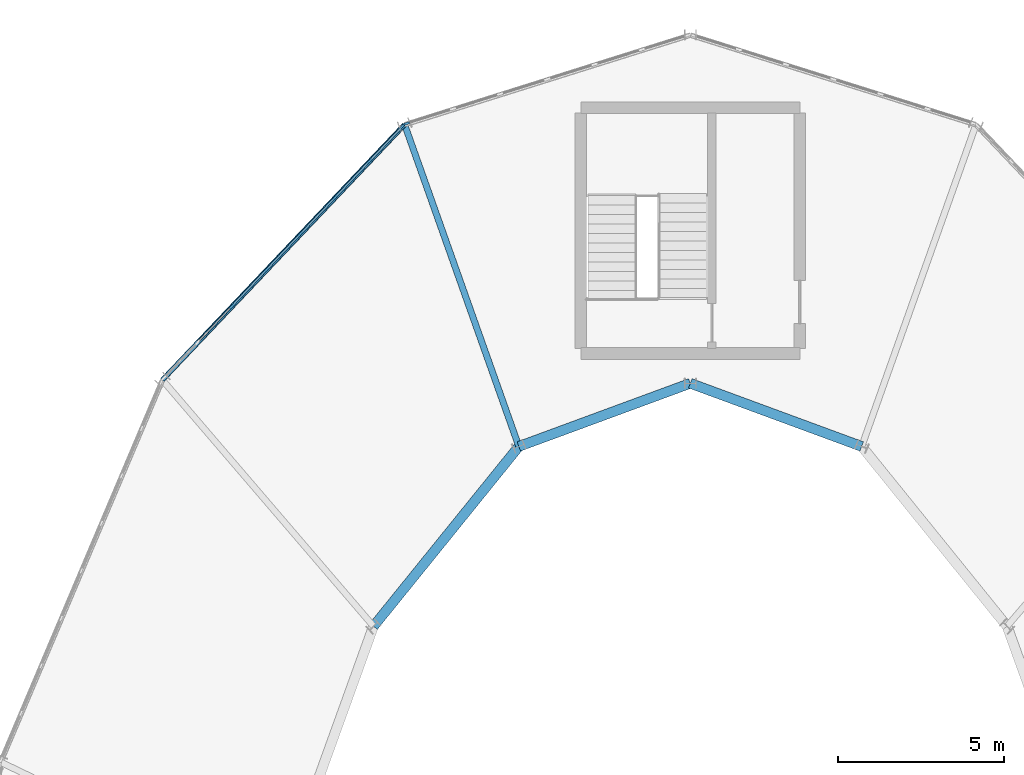
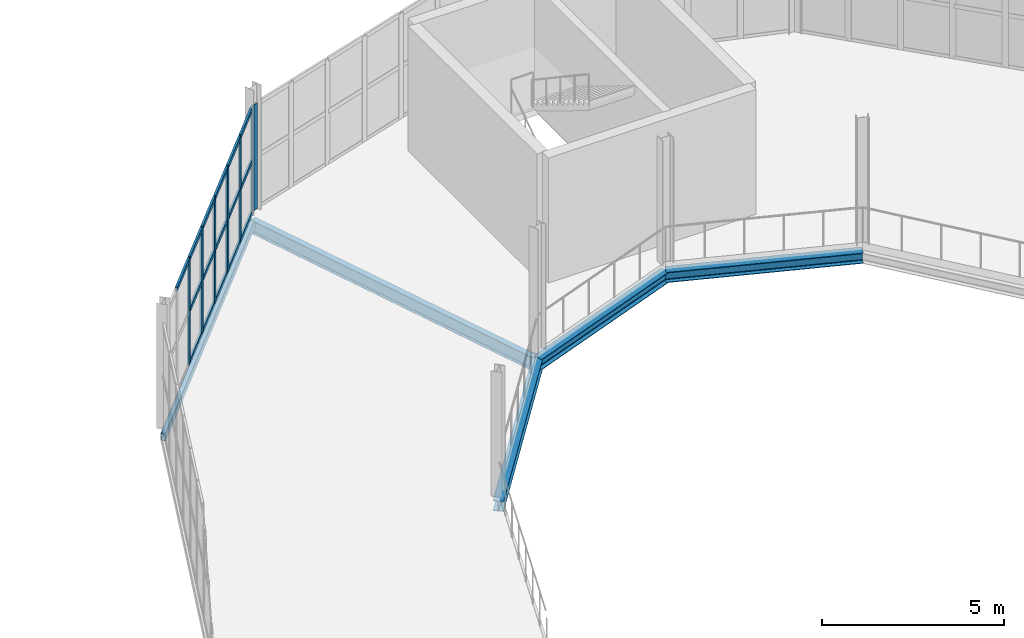
# One storey, part 89 of 161: 23 members, 5 beams, 2 elements without a shape of their own.
"""IFC4 building model written with IfcOpenShell, lengths in metres."""

import ifcopenshell
import ifcopenshell.guid

model = None  # the IFC model being written
_history = None  # IfcOwnerHistory: only IFC2X3 demands one
_inside = {}  # id of a spatial element -> (the spatial element, [elements in it])
_under = {}  # id of a project, library or spatial element -> (it, [spatial elements below it])
_declared = {}  # id of a project -> (the project, [libraries it declares])
_typed = {}  # id of a type object -> (the type object, [elements of that type])
_made_of = {}  # id of a material, layer set ... -> (it, [elements and type objects made of it])


def new_model(schema):
    """Start an empty IFC model of exactly this schema.

    Asked for "IFC4X3", IfcOpenShell would pick the latest addendum, in which some entities
    have other attributes; the version numbers below select the first issue.
    IFC2X3 requires an IfcOwnerHistory on every rooted entity: one is made here for all.
    """
    global model, _history
    if schema == "IFC4X3":
        model = ifcopenshell.file(schema_version=(4, 3, 0, 0))
    else:
        model = ifcopenshell.file(schema=schema)
    _inside.clear()
    _under.clear()
    _declared.clear()
    _typed.clear()
    _made_of.clear()
    _history = None
    if model.schema == "IFC2X3":
        org = make("IfcOrganization", Name="unknown")
        user = make(
            "IfcPersonAndOrganization",
            ThePerson=make("IfcPerson", FamilyName="unknown"),
            TheOrganization=org,
        )
        app = make(
            "IfcApplication",
            ApplicationDeveloper=org,
            Version="unknown",
            ApplicationFullName="unknown",
            ApplicationIdentifier="unknown",
        )
        _history = make(
            "IfcOwnerHistory",
            OwningUser=user,
            OwningApplication=app,
            ChangeAction="ADDED",
            CreationDate=0,
        )
    return model


def make(cls, **values):
    """One entity of the class cls with the attributes given. An attribute that is None is left unset."""
    return model.create_entity(
        cls, **{name: value for name, value in values.items() if value is not None}
    )


def rooted(cls, **values):
    """An entity with a GlobalId (a new one), such as an element, a storey or a relation."""
    return make(cls, GlobalId=ifcopenshell.guid.new(), OwnerHistory=_history, **values)


def si_unit(unit_type, name, prefix=None):
    """IfcSIUnit, for example si_unit("LENGTHUNIT", "METRE", prefix="MILLI")."""
    return make("IfcSIUnit", UnitType=unit_type, Prefix=prefix, Name=name)


def assignment(units):
    """IfcUnitAssignment: the units of a project."""
    return None if units is None else make("IfcUnitAssignment", Units=units)


def point(xyz):
    """IfcCartesianPoint."""
    return None if xyz is None else make("IfcCartesianPoint", Coordinates=xyz)


def direction(xyz):
    """IfcDirection."""
    return None if xyz is None else make("IfcDirection", DirectionRatios=xyz)


def frame(location, z_axis=None, x_axis=None):
    """IfcAxis2Placement3D, a coordinate frame: its origin and axes. An axis left out is left unset."""
    return make(
        "IfcAxis2Placement3D",
        Location=point(location),
        Axis=direction(z_axis),
        RefDirection=direction(x_axis),
    )


def frame_2d(location, x_axis=None):
    """IfcAxis2Placement2D, a coordinate frame in the plane: its origin and x axis."""
    return make(
        "IfcAxis2Placement2D", Location=point(location), RefDirection=direction(x_axis)
    )


def origin():
    """The frame at (0, 0, 0) with its axes left unset."""
    return frame((0.0, 0.0, 0.0))


def origin_2d():
    """The frame at (0, 0) in the plane with its x axis left unset."""
    return frame_2d((0.0, 0.0))


def place(relative_to, where):
    """IfcLocalPlacement: puts the frame where relative to a parent placement (None: the world)."""
    return make(
        "IfcLocalPlacement", PlacementRelTo=relative_to, RelativePlacement=where
    )


def context(
    kind, dimensions, precision=None, world=None, true_north=None, identifier=None
):
    """IfcGeometricRepresentationContext, for example the 3D "Model" context."""
    return make(
        "IfcGeometricRepresentationContext",
        ContextIdentifier=identifier,
        ContextType=kind,
        CoordinateSpaceDimension=dimensions,
        Precision=precision,
        WorldCoordinateSystem=world,
        TrueNorth=true_north,
    )


def subcontext(parent, identifier, kind, view, scale=None):
    """IfcGeometricRepresentationSubContext, for example "Body" below "Model"."""
    return make(
        "IfcGeometricRepresentationSubContext",
        ContextIdentifier=identifier,
        ContextType=kind,
        ParentContext=parent,
        TargetScale=scale,
        TargetView=view,
    )


def project(units=None, contexts=None):
    """IfcProject with its units and contexts."""
    return rooted(
        "IfcProject",
        Name="project",
        RepresentationContexts=contexts,
        UnitsInContext=assignment(units),
    )


def spatial(cls, under=None, at=None, **own):
    """A site, building, storey or space (cls), placed at a placement, below another one or the project."""
    s = rooted(cls, ObjectPlacement=at, **own)
    if under is not None:
        _under.setdefault(under.id(), (under, []))[1].append(s)
    return s


def profile(cls, at=None, kind="AREA", **sizes):
    """A parametric profile (cls). Its sizes go by their IFC names, for example OverallWidth=200.0."""
    return make(cls, ProfileType=kind, Position=at, **sizes)


def rectangle(**sizes):
    """IfcRectangleProfileDef."""
    return profile("IfcRectangleProfileDef", **sizes)


def hollow_rectangle(**sizes):
    """IfcRectangleHollowProfileDef."""
    return profile("IfcRectangleHollowProfileDef", **sizes)


def i_section(**sizes):
    """IfcIShapeProfileDef."""
    return profile("IfcIShapeProfileDef", **sizes)


def extrude(swept, where, along, depth):
    """IfcExtrudedAreaSolid: the profile swept, set in the frame where, extruded along a direction by depth."""
    return make(
        "IfcExtrudedAreaSolid",
        SweptArea=swept,
        Position=where,
        ExtrudedDirection=direction(along),
        Depth=depth,
    )


def shape(context_of_items, identifier, shape_type, items):
    """IfcShapeRepresentation: the items that make up one representation, for example the "Body"."""
    return make(
        "IfcShapeRepresentation",
        ContextOfItems=context_of_items,
        RepresentationIdentifier=identifier,
        RepresentationType=shape_type,
        Items=items,
    )


def material(Name=None, Category=None):
    """IfcMaterial."""
    return make("IfcMaterial", Name=Name, Category=Category)


def material_profile(
    of_material, cross_section, Name=None, Category=None, Priority=None
):
    """IfcMaterialProfile: a cross section and its material."""
    return make(
        "IfcMaterialProfile",
        Name=Name,
        Material=of_material,
        Profile=cross_section,
        Priority=Priority,
        Category=Category,
    )


def profile_set(profiles, Name=None, composite=None):
    """IfcMaterialProfileSet."""
    return make(
        "IfcMaterialProfileSet",
        Name=Name,
        MaterialProfiles=profiles,
        CompositeProfile=composite,
    )


def made_of(thing, what):
    """Note that an element or type object is made of a material, layer set ...; save() writes the relation."""
    if what is not None:
        _made_of.setdefault(what.id(), (what, []))[1].append(thing)
    return thing


def type_object(cls, material=None, **own):
    """A type object (cls), such as IfcWallType, which elements share."""
    return made_of(rooted(cls, **own), material)


def element(
    cls,
    number,
    at=None,
    inside=None,
    cuts=None,
    type_object=None,
    material=None,
    context=None,
    identifier="Body",
    shape_type=None,
    held_by="IfcProductDefinitionShape",
    body=None,
    shapes=None,
    **own,
):
    """One element of the class cls, such as IfcWall. Its Tag is "e" and its number.

    at: its placement. inside: the storey or other place that contains it. cuts: it is an
    opening in that element (IfcRelVoidsElement). A single representation is given by context,
    identifier, shape_type and body (its items); several are given by shapes. held_by: the class
    of the entity that holds the representations. save() writes the other relations.
    """
    e = rooted(cls, Tag="e%d" % number, ObjectPlacement=at, **own)
    if body is not None:
        shapes = [shape(context, identifier, shape_type, body)]
    if shapes is not None:
        e.Representation = make(held_by, Representations=shapes)
    if inside is not None:
        _inside.setdefault(inside.id(), (inside, []))[1].append(e)
    if cuts is not None:
        rooted(
            "IfcRelVoidsElement", RelatingBuildingElement=cuts, RelatedOpeningElement=e
        )
    if type_object is not None:
        _typed.setdefault(type_object.id(), (type_object, []))[1].append(e)
    return made_of(e, material)


def aggregate(whole, parts):
    """IfcRelAggregates: a whole, such as a stair, and the parts it consists of."""
    return rooted("IfcRelAggregates", RelatingObject=whole, RelatedObjects=parts)


def save(model, path):
    """Write the relations noted so far, then the file.

    IfcRelAggregates (storeys below a building ...), IfcRelContainedInSpatialStructure (elements
    in a storey), IfcRelDefinesByType, IfcRelAssociatesMaterial and IfcRelDeclares: one each for
    every whole, place, type object, material and project.
    """
    for whole, parts in _under.values():
        aggregate(whole, parts)
    for where, things in _inside.values():
        rooted(
            "IfcRelContainedInSpatialStructure",
            RelatedElements=things,
            RelatingStructure=where,
        )
    for kind, things in _typed.values():
        rooted("IfcRelDefinesByType", RelatedObjects=things, RelatingType=kind)
    for what, things in _made_of.values():
        rooted("IfcRelAssociatesMaterial", RelatedObjects=things, RelatingMaterial=what)
    for by, libraries in _declared.values():
        rooted("IfcRelDeclares", RelatingContext=by, RelatedDefinitions=libraries)
    model.write(path)


model = new_model("IFC4")

# Units and contexts
model_context = context("Model", 3, precision=1e-05, world=origin(), true_north=direction((0.0, 1.0)))
body_context = subcontext(model_context, "Body", "Model", "MODEL_VIEW")
ifc_project = project(units=[si_unit("LENGTHUNIT", "METRE"), si_unit("AREAUNIT", "SQUARE_METRE"), si_unit("VOLUMEUNIT", "CUBIC_METRE"), si_unit("PLANEANGLEUNIT", "RADIAN"), si_unit("MASSUNIT", "GRAM", prefix="KILO")], contexts=[model_context])

# Site, building, storey
site_placement = place(None, origin())
site = spatial("IfcSite", under=ifc_project, at=site_placement, CompositionType="ELEMENT")
building_placement = place(site_placement, origin())
building = spatial("IfcBuilding", under=site, at=building_placement, Name="Kildeholm Park Wholesale Market", CompositionType="ELEMENT")
storey_placement = place(building_placement, frame((0.0, 0.0, 5.39990234375)))
storey = spatial("IfcBuildingStorey", under=building, at=storey_placement, Name="L01", CompositionType="ELEMENT", Elevation=5.39990234375)

# Beams
ifc_material_1 = material(Name="Steel S355", Category="steel")
ifc_material_profile_1 = material_profile(ifc_material_1, i_section(OverallWidth=0.18994140625, OverallDepth=0.449951171875, WebThickness=0.009521484375, FlangeThickness=0.0146484375, FilletRadius=0.02099609375, at=origin_2d()), Name="IPE 450")
ifc_profile_set_1 = profile_set([ifc_material_profile_1], Name="Steel S355")
beam_type_1 = type_object("IfcBeamType", Name="Beam B-P02 IPE 450", PredefinedType="BEAM", material=ifc_profile_set_1)
beam_1_placement = place(storey_placement, frame((182.833984375, 117.596923828125, -0.48486328125), z_axis=(-0.334560005007, 0.942374449489, 0.0), x_axis=(-0.942374449489, -0.334560005007, 0.0)))
element("IfcBeam", 1, at=beam_1_placement, inside=storey, type_object=beam_type_1, Name="Beam BM-V2-L01-R-05 BM-0396", PredefinedType="BEAM", context=body_context, shape_type="SweptSolid", body=[
    extrude(i_section(OverallWidth=0.18994140625, OverallDepth=0.449951171875, WebThickness=0.009521484375, FlangeThickness=0.0146484375, FilletRadius=0.02099609375, at=origin_2d()), origin(), (0.0, 0.0, 1.0), 10.29443359375),
])
ifc_material_profile_2 = material_profile(ifc_material_1, i_section(OverallWidth=0.300048828125, OverallDepth=0.35009765625, WebThickness=0.010009765625, FlangeThickness=0.017578125, FilletRadius=0.027099609375, at=origin_2d()), Name="HEA 360")
ifc_profile_set_2 = profile_set([ifc_material_profile_2], Name="Steel S355")
beam_type_2 = type_object("IfcBeamType", Name="Beam B-R01 HEA 360", PredefinedType="BEAM", material=ifc_profile_set_2)
for number, where, z_axis, x_axis, name in (
    (2, (193.166015625, 117.596923828125, -0.434814453125), (-0.93835447313, 0.345674532989, 0.0), (-0.345674532989, -0.93835447313, 0.0), "Beam BM-V2-L01-CI-03 BM-0386"),
    (3, (188.0, 119.5, -0.434814453125), (-0.93835447313, -0.345674532989, 0.0), (0.345674532989, -0.93835447313, 0.0), "Beam BM-V2-L01-CI-04 BM-0391"),
):
    element("IfcBeam", number, at=place(storey_placement, frame(where, z_axis=z_axis, x_axis=x_axis)), inside=storey, type_object=beam_type_2, Name=name, PredefinedType="BEAM", context=body_context, shape_type="SweptSolid", body=[
        extrude(i_section(OverallWidth=0.300048828125, OverallDepth=0.35009765625, WebThickness=0.010009765625, FlangeThickness=0.017578125, FilletRadius=0.027099609375, at=origin_2d()), origin(), (0.0, 0.0, 1.0), 5.50537109375),
    ])
beam_2_placement = place(storey_placement, frame((182.833984375, 117.596923828125, -0.434814453125), z_axis=(-0.628601322688, -0.777727701136, 0.0), x_axis=(0.777727701136, -0.628601322688, 0.0)))
element("IfcBeam", 4, at=beam_2_placement, inside=storey, type_object=beam_type_2, Name="Beam BM-V2-L01-CI-05 BM-0398", PredefinedType="BEAM", context=body_context, shape_type="SweptSolid", body=[
    extrude(i_section(OverallWidth=0.300048828125, OverallDepth=0.35009765625, WebThickness=0.010009765625, FlangeThickness=0.017578125, FilletRadius=0.027099609375, at=origin_2d()), origin(), (0.0, 0.0, 1.0), 6.9677734375),
])
ifc_material_profile_3 = material_profile(ifc_material_1, hollow_rectangle(XDim=0.14990234375, YDim=0.25, WallThickness=0.010009765625, InnerFilletRadius=0.010009765625, OuterFilletRadius=0.02001953125, at=origin_2d()), Name="RHS 250x150x10")
ifc_profile_set_3 = profile_set([ifc_material_profile_3], Name="Steel S355")
beam_type_3 = type_object("IfcBeamType", Name="Beam SP-02 RHS 250x150x10", PredefinedType="SPANDREL", material=ifc_profile_set_3)
beam_3_placement = place(storey_placement, frame((179.389892578125, 127.298095703125, -0.385009765625), z_axis=(-0.688182467753, -0.725537656554, 0.0), x_axis=(0.725537656554, -0.688182467753, 0.0)))
element("IfcBeam", 5, at=beam_3_placement, inside=storey, type_object=beam_type_3, Name="Beam BM-V2-L01-CO-05 BM-0399", PredefinedType="SPANDREL", context=body_context, shape_type="SweptSolid", body=[
    extrude(hollow_rectangle(XDim=0.14990234375, YDim=0.25, WallThickness=0.010009765625, InnerFilletRadius=0.010009765625, OuterFilletRadius=0.02001953125, at=origin_2d()), origin(), (0.0, 0.0, 1.0), 10.607421875),
])

# Curtain wall, member
ifc_material_2 = material(Name="Anodised aluminium and low-E double-glazed glass", Category="aluminium")
curtain_wall_type = type_object("IfcCurtainWallType", Name="Market hall glazed arcade stick curtain wall CW-01", PredefinedType="NOTDEFINED", material=ifc_material_2)
curtain_wall_1_placement = place(storey_placement, origin())
curtain_wall_1 = element("IfcCurtainWall", 6, at=curtain_wall_1_placement, inside=storey, type_object=curtain_wall_type, Name="Curtain wall CW-V2-L01-04 CW-0123", PredefinedType="NOTDEFINED")
ifc_material_3 = material(Name="Anodised aluminium", Category="aluminium")
ifc_material_profile_4 = material_profile(ifc_material_3, rectangle(XDim=0.06494140625, YDim=0.179931640625, at=origin_2d()), Name="CWM 65x180")
ifc_profile_set_4 = profile_set([ifc_material_profile_4], Name="Anodised aluminium")
member_type_1 = type_object("IfcMemberType", Name="Curtain-wall mullion CWM-1 CWM 65x180", PredefinedType="MULLION", material=ifc_profile_set_4)
member_1_placement = place(storey_placement, frame((179.45703125, 127.330810546875, 0.0), z_axis=(0.0, 0.0, 1.0), x_axis=(0.29947776095, -0.954103280938, 0.0)))
member_1 = element("IfcMember", 7, at=member_1_placement, type_object=member_type_1, Name="CW-01 mullion 7 MEM-3778", PredefinedType="MULLION", context=body_context, shape_type="SweptSolid", body=[
    extrude(rectangle(XDim=0.06494140625, YDim=0.179931640625, at=origin_2d()), origin(), (0.0, 0.0, 1.0), 3.550048828125),
])
aggregate(curtain_wall_1, [member_1])

# Curtain wall, members
curtain_wall_2_placement = place(storey_placement, origin())
curtain_wall_2 = element("IfcCurtainWall", 8, at=curtain_wall_2_placement, inside=storey, type_object=curtain_wall_type, Name="Curtain wall CW-V2-L01-05 CW-0124", PredefinedType="NOTDEFINED")
member_2_placement = place(storey_placement, frame((179.336669921875, 127.25439453125, 0.0), z_axis=(0.0, 0.0, 1.0), x_axis=(0.725570701078, -0.688147627866, 0.0)))
member_2 = element("IfcMember", 9, at=member_2_placement, type_object=member_type_1, Name="CW-01 mullion 1 MEM-3797", PredefinedType="MULLION", context=body_context, shape_type="SweptSolid", body=[
    extrude(rectangle(XDim=0.06494140625, YDim=0.179931640625, at=origin_2d()), origin(), (0.0, 0.0, 1.0), 3.550048828125),
])
member_3_placement = place(storey_placement, frame((178.323974609375, 126.186767578125, 0.0), z_axis=(0.0, 0.0, 1.0), x_axis=(0.725570701078, -0.688147627866, 0.0)))
member_3 = element("IfcMember", 10, at=member_3_placement, type_object=member_type_1, Name="CW-01 mullion 2 MEM-3798", PredefinedType="MULLION", context=body_context, shape_type="SweptSolid", body=[
    extrude(rectangle(XDim=0.06494140625, YDim=0.179931640625, at=origin_2d()), origin(), (0.0, 0.0, 1.0), 3.550048828125),
])
member_4_placement = place(storey_placement, frame((177.2890625, 125.095458984375, 0.0), z_axis=(0.0, 0.0, 1.0), x_axis=(0.725570701078, -0.688147627866, 0.0)))
member_4 = element("IfcMember", 11, at=member_4_placement, type_object=member_type_1, Name="CW-01 mullion 3 MEM-3799", PredefinedType="MULLION", context=body_context, shape_type="SweptSolid", body=[
    extrude(rectangle(XDim=0.06494140625, YDim=0.179931640625, at=origin_2d()), origin(), (0.0, 0.0, 1.0), 3.550048828125),
])
member_5_placement = place(storey_placement, frame((176.25390625, 124.004150390625, 0.0), z_axis=(0.0, 0.0, 1.0), x_axis=(0.725570701078, -0.688147627866, 0.0)))
member_5 = element("IfcMember", 12, at=member_5_placement, type_object=member_type_1, Name="CW-01 mullion 4 MEM-3800", PredefinedType="MULLION", context=body_context, shape_type="SweptSolid", body=[
    extrude(rectangle(XDim=0.06494140625, YDim=0.179931640625, at=origin_2d()), origin(), (0.0, 0.0, 1.0), 3.550048828125),
])
member_6_placement = place(storey_placement, frame((175.218994140625, 122.912841796875, 0.0), z_axis=(0.0, 0.0, 1.0), x_axis=(0.725570701078, -0.688147627866, 0.0)))
member_6 = element("IfcMember", 13, at=member_6_placement, type_object=member_type_1, Name="CW-01 mullion 5 MEM-3801", PredefinedType="MULLION", context=body_context, shape_type="SweptSolid", body=[
    extrude(rectangle(XDim=0.06494140625, YDim=0.179931640625, at=origin_2d()), origin(), (0.0, 0.0, 1.0), 3.550048828125),
])
member_7_placement = place(storey_placement, frame((174.18408203125, 121.821533203125, 0.0), z_axis=(0.0, 0.0, 1.0), x_axis=(0.725570701078, -0.688147627866, 0.0)))
member_7 = element("IfcMember", 14, at=member_7_placement, type_object=member_type_1, Name="CW-01 mullion 6 MEM-3802", PredefinedType="MULLION", context=body_context, shape_type="SweptSolid", body=[
    extrude(rectangle(XDim=0.06494140625, YDim=0.179931640625, at=origin_2d()), origin(), (0.0, 0.0, 1.0), 3.550048828125),
])
ifc_material_profile_5 = material_profile(ifc_material_3, rectangle(XDim=0.06494140625, YDim=0.139892578125, at=origin_2d()), Name="CWT 65x140")
ifc_profile_set_5 = profile_set([ifc_material_profile_5], Name="Anodised aluminium")
member_type_2 = type_object("IfcMemberType", Name="Curtain-wall transom CWT-1 CWT 65x140", PredefinedType="USERDEFINED", material=ifc_profile_set_5)
member_8_placement = place(storey_placement, frame((179.314208984375, 127.23095703125, 0.03271484375), z_axis=(-0.688023826251, -0.725688097264, 0.0), x_axis=(0.725688097264, -0.688023826251, 0.0)))
member_8 = element("IfcMember", 15, at=member_8_placement, type_object=member_type_2, Name="CW-01 transom 1.1 MEM-3805", ObjectType="TRANSOM", PredefinedType="USERDEFINED", context=body_context, shape_type="SweptSolid", body=[
    extrude(rectangle(XDim=0.06494140625, YDim=0.139892578125, at=origin_2d()), origin(), (0.0, 0.0, 1.0), 1.406494140625),
])
member_9_placement = place(storey_placement, frame((179.314208984375, 127.23095703125, 1.775146484375), z_axis=(-0.688023826251, -0.725688097264, 0.0), x_axis=(0.725688097264, -0.688023826251, 0.0)))
member_9 = element("IfcMember", 16, at=member_9_placement, type_object=member_type_2, Name="CW-01 transom 1.2 MEM-3806", ObjectType="TRANSOM", PredefinedType="USERDEFINED", context=body_context, shape_type="SweptSolid", body=[
    extrude(rectangle(XDim=0.06494140625, YDim=0.139892578125, at=origin_2d()), origin(), (0.0, 0.0, 1.0), 1.406494140625),
])
member_10_placement = place(storey_placement, frame((179.314208984375, 127.23095703125, 3.517578125), z_axis=(-0.688023826251, -0.725688097264, 0.0), x_axis=(0.725688097264, -0.688023826251, 0.0)))
member_10 = element("IfcMember", 17, at=member_10_placement, type_object=member_type_2, Name="CW-01 transom 1.3 MEM-3807", ObjectType="TRANSOM", PredefinedType="USERDEFINED", context=body_context, shape_type="SweptSolid", body=[
    extrude(rectangle(XDim=0.06494140625, YDim=0.139892578125, at=origin_2d()), origin(), (0.0, 0.0, 1.0), 1.406494140625),
])
member_11_placement = place(storey_placement, frame((178.301513671875, 126.1630859375, 0.03271484375), z_axis=(-0.688111604376, -0.72560486487, 0.0), x_axis=(0.72560486487, -0.688111604376, 0.0)))
member_11 = element("IfcMember", 18, at=member_11_placement, type_object=member_type_2, Name="CW-01 transom 2.1 MEM-3808", ObjectType="TRANSOM", PredefinedType="USERDEFINED", context=body_context, shape_type="SweptSolid", body=[
    extrude(rectangle(XDim=0.06494140625, YDim=0.139892578125, at=origin_2d()), origin(), (0.0, 0.0, 1.0), 1.43896484375),
])
member_12_placement = place(storey_placement, frame((178.301513671875, 126.1630859375, 1.775146484375), z_axis=(-0.688111604376, -0.72560486487, 0.0), x_axis=(0.72560486487, -0.688111604376, 0.0)))
member_12 = element("IfcMember", 19, at=member_12_placement, type_object=member_type_2, Name="CW-01 transom 2.2 MEM-3809", ObjectType="TRANSOM", PredefinedType="USERDEFINED", context=body_context, shape_type="SweptSolid", body=[
    extrude(rectangle(XDim=0.06494140625, YDim=0.139892578125, at=origin_2d()), origin(), (0.0, 0.0, 1.0), 1.43896484375),
])
member_13_placement = place(storey_placement, frame((178.301513671875, 126.1630859375, 3.517578125), z_axis=(-0.688111604376, -0.72560486487, 0.0), x_axis=(0.72560486487, -0.688111604376, 0.0)))
member_13 = element("IfcMember", 20, at=member_13_placement, type_object=member_type_2, Name="CW-01 transom 2.3 MEM-3810", ObjectType="TRANSOM", PredefinedType="USERDEFINED", context=body_context, shape_type="SweptSolid", body=[
    extrude(rectangle(XDim=0.06494140625, YDim=0.139892578125, at=origin_2d()), origin(), (0.0, 0.0, 1.0), 1.43896484375),
])
member_14_placement = place(storey_placement, frame((177.2666015625, 125.07177734375, 0.03271484375), z_axis=(-0.688196317251, -0.725524519863, 0.0), x_axis=(0.725524519863, -0.688196317251, 0.0)))
member_14 = element("IfcMember", 21, at=member_14_placement, type_object=member_type_2, Name="CW-01 transom 3.1 MEM-3811", ObjectType="TRANSOM", PredefinedType="USERDEFINED", context=body_context, shape_type="SweptSolid", body=[
    extrude(rectangle(XDim=0.06494140625, YDim=0.139892578125, at=origin_2d()), origin(), (0.0, 0.0, 1.0), 1.43896484375),
])
member_15_placement = place(storey_placement, frame((177.2666015625, 125.07177734375, 1.775146484375), z_axis=(-0.688196317251, -0.725524519863, 0.0), x_axis=(0.725524519863, -0.688196317251, 0.0)))
member_15 = element("IfcMember", 22, at=member_15_placement, type_object=member_type_2, Name="CW-01 transom 3.2 MEM-3812", ObjectType="TRANSOM", PredefinedType="USERDEFINED", context=body_context, shape_type="SweptSolid", body=[
    extrude(rectangle(XDim=0.06494140625, YDim=0.139892578125, at=origin_2d()), origin(), (0.0, 0.0, 1.0), 1.43896484375),
])
member_16_placement = place(storey_placement, frame((177.2666015625, 125.07177734375, 3.517578125), z_axis=(-0.688196317251, -0.725524519863, 0.0), x_axis=(0.725524519863, -0.688196317251, 0.0)))
member_16 = element("IfcMember", 23, at=member_16_placement, type_object=member_type_2, Name="CW-01 transom 3.3 MEM-3813", ObjectType="TRANSOM", PredefinedType="USERDEFINED", context=body_context, shape_type="SweptSolid", body=[
    extrude(rectangle(XDim=0.06494140625, YDim=0.139892578125, at=origin_2d()), origin(), (0.0, 0.0, 1.0), 1.43896484375),
])
member_17_placement = place(storey_placement, frame((176.231689453125, 123.98046875, 0.03271484375), z_axis=(-0.688196317251, -0.725524519863, 0.0), x_axis=(0.725524519863, -0.688196317251, 0.0)))
member_17 = element("IfcMember", 24, at=member_17_placement, type_object=member_type_2, Name="CW-01 transom 4.1 MEM-3814", ObjectType="TRANSOM", PredefinedType="USERDEFINED", context=body_context, shape_type="SweptSolid", body=[
    extrude(rectangle(XDim=0.06494140625, YDim=0.139892578125, at=origin_2d()), origin(), (0.0, 0.0, 1.0), 1.43896484375),
])
member_18_placement = place(storey_placement, frame((176.231689453125, 123.98046875, 1.775146484375), z_axis=(-0.688196317251, -0.725524519863, 0.0), x_axis=(0.725524519863, -0.688196317251, 0.0)))
member_18 = element("IfcMember", 25, at=member_18_placement, type_object=member_type_2, Name="CW-01 transom 4.2 MEM-3815", ObjectType="TRANSOM", PredefinedType="USERDEFINED", context=body_context, shape_type="SweptSolid", body=[
    extrude(rectangle(XDim=0.06494140625, YDim=0.139892578125, at=origin_2d()), origin(), (0.0, 0.0, 1.0), 1.43896484375),
])
member_19_placement = place(storey_placement, frame((176.231689453125, 123.98046875, 3.517578125), z_axis=(-0.688196317251, -0.725524519863, 0.0), x_axis=(0.725524519863, -0.688196317251, 0.0)))
member_19 = element("IfcMember", 26, at=member_19_placement, type_object=member_type_2, Name="CW-01 transom 4.3 MEM-3816", ObjectType="TRANSOM", PredefinedType="USERDEFINED", context=body_context, shape_type="SweptSolid", body=[
    extrude(rectangle(XDim=0.06494140625, YDim=0.139892578125, at=origin_2d()), origin(), (0.0, 0.0, 1.0), 1.43896484375),
])
member_20_placement = place(storey_placement, frame((175.196533203125, 122.88916015625, 0.03271484375), z_axis=(-0.688196317251, -0.725524519863, 0.0), x_axis=(0.725524519863, -0.688196317251, 0.0)))
member_20 = element("IfcMember", 27, at=member_20_placement, type_object=member_type_2, Name="CW-01 transom 5.1 MEM-3817", ObjectType="TRANSOM", PredefinedType="USERDEFINED", context=body_context, shape_type="SweptSolid", body=[
    extrude(rectangle(XDim=0.06494140625, YDim=0.139892578125, at=origin_2d()), origin(), (0.0, 0.0, 1.0), 1.43896484375),
])
member_21_placement = place(storey_placement, frame((175.196533203125, 122.88916015625, 1.775146484375), z_axis=(-0.688196317251, -0.725524519863, 0.0), x_axis=(0.725524519863, -0.688196317251, 0.0)))
member_21 = element("IfcMember", 28, at=member_21_placement, type_object=member_type_2, Name="CW-01 transom 5.2 MEM-3818", ObjectType="TRANSOM", PredefinedType="USERDEFINED", context=body_context, shape_type="SweptSolid", body=[
    extrude(rectangle(XDim=0.06494140625, YDim=0.139892578125, at=origin_2d()), origin(), (0.0, 0.0, 1.0), 1.43896484375),
])
member_22_placement = place(storey_placement, frame((175.196533203125, 122.88916015625, 3.517578125), z_axis=(-0.688196317251, -0.725524519863, 0.0), x_axis=(0.725524519863, -0.688196317251, 0.0)))
member_22 = element("IfcMember", 29, at=member_22_placement, type_object=member_type_2, Name="CW-01 transom 5.3 MEM-3819", ObjectType="TRANSOM", PredefinedType="USERDEFINED", context=body_context, shape_type="SweptSolid", body=[
    extrude(rectangle(XDim=0.06494140625, YDim=0.139892578125, at=origin_2d()), origin(), (0.0, 0.0, 1.0), 1.43896484375),
])
member_23_placement = place(storey_placement, frame((174.16162109375, 121.798095703125, 3.517578125), z_axis=(-0.688111604376, -0.72560486487, 0.0), x_axis=(0.72560486487, -0.688111604376, 0.0)))
member_23 = element("IfcMember", 30, at=member_23_placement, type_object=member_type_2, Name="CW-01 transom 6.3 MEM-3822", ObjectType="TRANSOM", PredefinedType="USERDEFINED", context=body_context, shape_type="SweptSolid", body=[
    extrude(rectangle(XDim=0.06494140625, YDim=0.139892578125, at=origin_2d()), origin(), (0.0, 0.0, 1.0), 1.43896484375),
])
aggregate(curtain_wall_2, [member_2, member_3, member_4, member_5, member_6, member_7, member_8, member_9, member_10, member_11, member_12, member_13, member_14, member_15, member_16, member_17, member_18, member_19, member_20, member_21, member_22, member_23])

save(model, "model.ifc")
